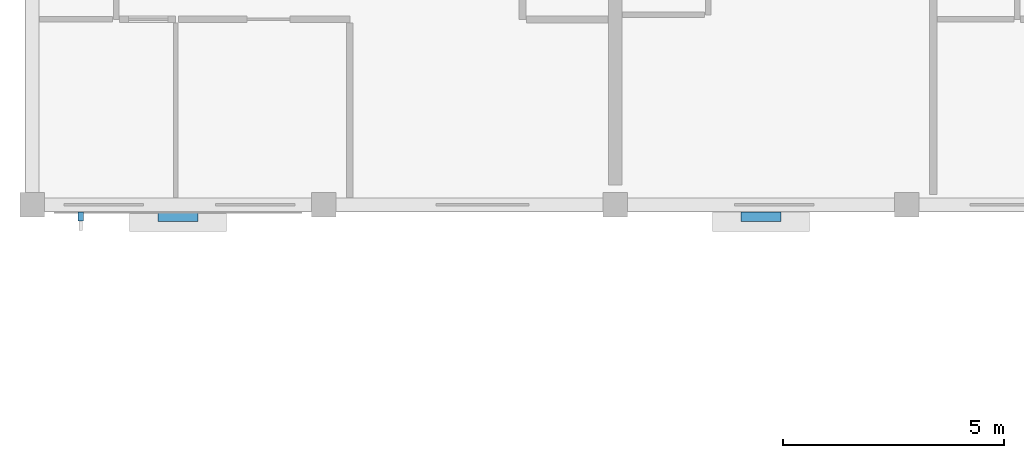
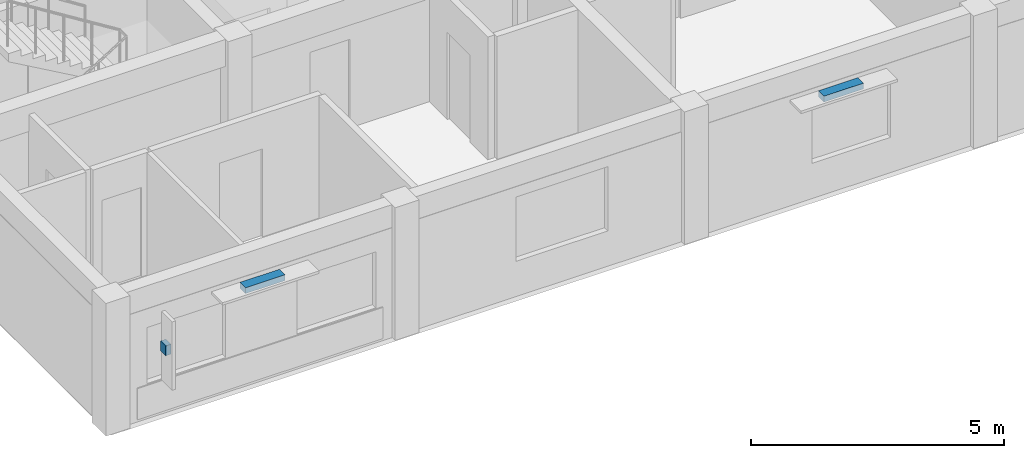
# One storey, part 44 of 53: 3 discrete accessories.
"""IFC4 building model written with IfcOpenShell, lengths in metres."""

from ifc_helpers import new_model, si_unit, direction, frame, origin, origin_2d, place, context, subcontext, project, spatial, rectangle, extrude, material, type_object, element, save


model = new_model("IFC4")

# Units and contexts
model_context = context("Model", 3, precision=1e-05, world=origin(), true_north=direction((0.0, 1.0)))
body_context = subcontext(model_context, "Body", "Model", "MODEL_VIEW")
ifc_project = project(units=[si_unit("LENGTHUNIT", "METRE"), si_unit("AREAUNIT", "SQUARE_METRE"), si_unit("VOLUMEUNIT", "CUBIC_METRE"), si_unit("PLANEANGLEUNIT", "RADIAN"), si_unit("MASSUNIT", "GRAM", prefix="KILO")], contexts=[model_context])

# Site, building, storey
site_placement = place(None, origin())
site = spatial("IfcSite", under=ifc_project, at=site_placement, CompositionType="ELEMENT")
building_placement = place(site_placement, origin())
building = spatial("IfcBuilding", under=site, at=building_placement, Name="Kernevlak Ridge Housing Community", CompositionType="ELEMENT")
storey_placement = place(building_placement, frame((0.0, 0.0, 18.0)))
storey = spatial("IfcBuildingStorey", under=building, at=storey_placement, Name="L05", CompositionType="ELEMENT", Elevation=18.0)

# Discrete accessories
ifc_material = material(Name="Steel S355 galvanised", Category="steel")
discrete_accessory_type = type_object("IfcDiscreteAccessoryType", Name="BK-01", PredefinedType="BRACKET", material=ifc_material)
discrete_accessory_1_placement = place(storey_placement, frame((18.89990234375, 75.72998046875, 2.41015625), z_axis=(0.0, 0.0, 1.0), x_axis=(1.0, 0.0, 0.0)))
element("IfcDiscreteAccessory", 1, at=discrete_accessory_1_placement, inside=storey, type_object=discrete_accessory_type, Name="Sunshade steel bracket 3", PredefinedType="BRACKET", context=body_context, shape_type="SweptSolid", body=[
    extrude(rectangle(XDim=0.89990234375, YDim=0.219970703125, at=origin_2d()), origin(), (0.0, 0.0, 1.0), 0.139892578125),
])
discrete_accessory_2_placement = place(storey_placement, frame((16.699951171875, 75.739990234375, 1.52978515625), z_axis=(0.0, 0.0, 1.0), x_axis=(1.0, 0.0, 0.0)))
element("IfcDiscreteAccessory", 2, at=discrete_accessory_2_placement, inside=storey, type_object=discrete_accessory_type, Name="Vertical fin fixing bracket 3", PredefinedType="BRACKET", context=body_context, shape_type="SweptSolid", body=[
    extrude(rectangle(XDim=0.1201171875, YDim=0.199951171875, at=origin_2d()), origin(), (0.0, 0.0, 1.0), 0.239990234375),
])
discrete_accessory_3_placement = place(storey_placement, frame((32.10009765625, 75.72998046875, 2.41015625), z_axis=(0.0, 0.0, 1.0), x_axis=(1.0, 0.0, 0.0)))
element("IfcDiscreteAccessory", 3, at=discrete_accessory_3_placement, inside=storey, type_object=discrete_accessory_type, Name="Sunshade steel bracket 4", PredefinedType="BRACKET", context=body_context, shape_type="SweptSolid", body=[
    extrude(rectangle(XDim=0.89990234375, YDim=0.219970703125, at=origin_2d()), origin(), (0.0, 0.0, 1.0), 0.139892578125),
])

save(model, "model.ifc")
